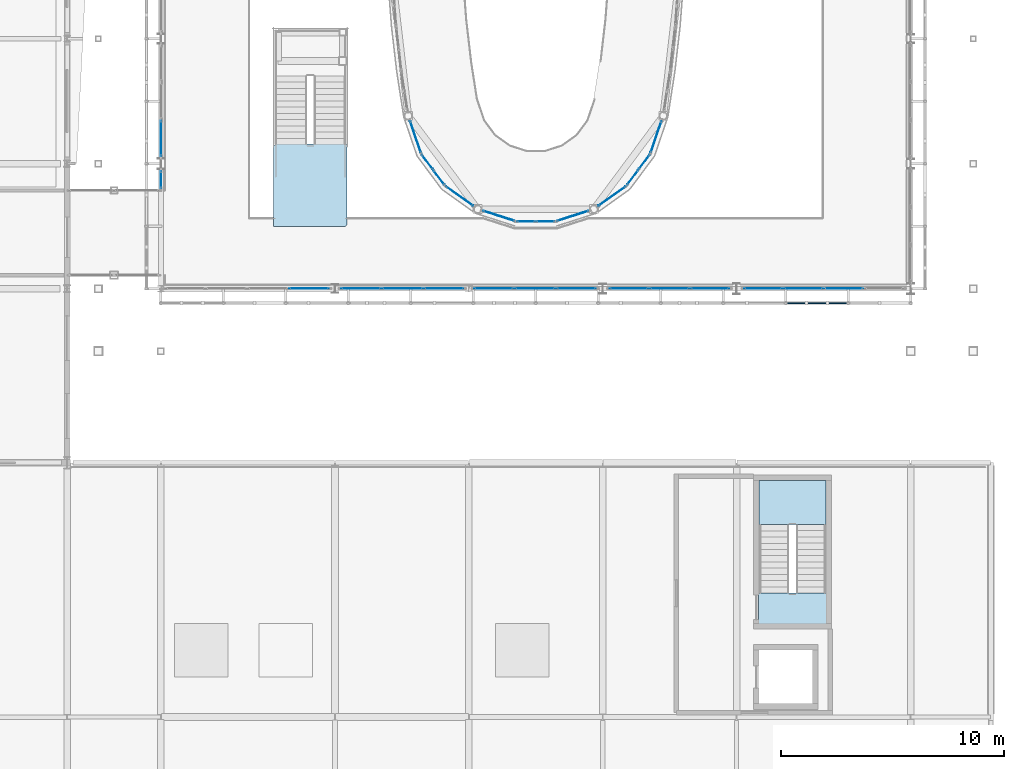
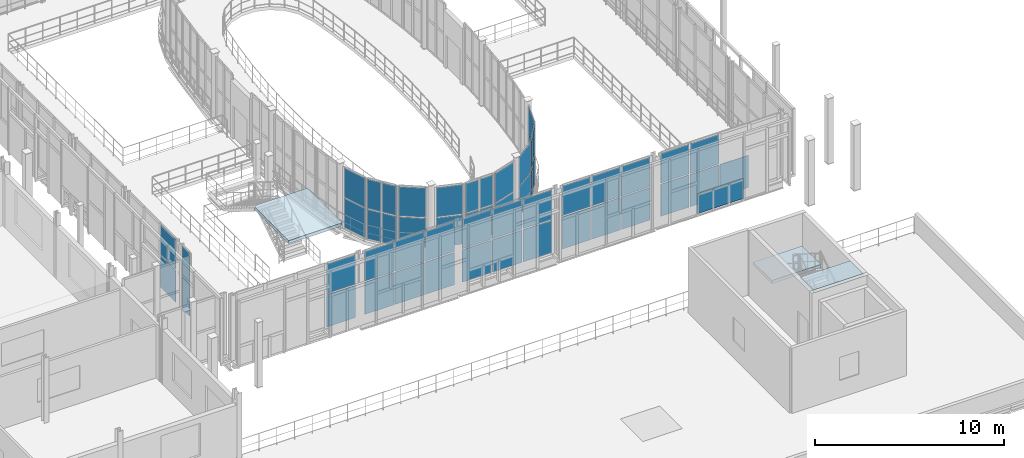
# One storey, part 96 of 138: 54 plates, 3 slabs, 18 elements without a shape of their own.
"""IFC4 building model written with IfcOpenShell, lengths in metres."""

import ifcopenshell
import ifcopenshell.guid

model = None  # the IFC model being written
_history = None  # IfcOwnerHistory: only IFC2X3 demands one
_inside = {}  # id of a spatial element -> (the spatial element, [elements in it])
_under = {}  # id of a project, library or spatial element -> (it, [spatial elements below it])
_declared = {}  # id of a project -> (the project, [libraries it declares])
_typed = {}  # id of a type object -> (the type object, [elements of that type])
_made_of = {}  # id of a material, layer set ... -> (it, [elements and type objects made of it])


def new_model(schema):
    """Start an empty IFC model of exactly this schema.

    Asked for "IFC4X3", IfcOpenShell would pick the latest addendum, in which some entities
    have other attributes; the version numbers below select the first issue.
    IFC2X3 requires an IfcOwnerHistory on every rooted entity: one is made here for all.
    """
    global model, _history
    if schema == "IFC4X3":
        model = ifcopenshell.file(schema_version=(4, 3, 0, 0))
    else:
        model = ifcopenshell.file(schema=schema)
    _inside.clear()
    _under.clear()
    _declared.clear()
    _typed.clear()
    _made_of.clear()
    _history = None
    if model.schema == "IFC2X3":
        org = make("IfcOrganization", Name="unknown")
        user = make(
            "IfcPersonAndOrganization",
            ThePerson=make("IfcPerson", FamilyName="unknown"),
            TheOrganization=org,
        )
        app = make(
            "IfcApplication",
            ApplicationDeveloper=org,
            Version="unknown",
            ApplicationFullName="unknown",
            ApplicationIdentifier="unknown",
        )
        _history = make(
            "IfcOwnerHistory",
            OwningUser=user,
            OwningApplication=app,
            ChangeAction="ADDED",
            CreationDate=0,
        )
    return model


def make(cls, **values):
    """One entity of the class cls with the attributes given. An attribute that is None is left unset."""
    return model.create_entity(
        cls, **{name: value for name, value in values.items() if value is not None}
    )


def rooted(cls, **values):
    """An entity with a GlobalId (a new one), such as an element, a storey or a relation."""
    return make(cls, GlobalId=ifcopenshell.guid.new(), OwnerHistory=_history, **values)


def si_unit(unit_type, name, prefix=None):
    """IfcSIUnit, for example si_unit("LENGTHUNIT", "METRE", prefix="MILLI")."""
    return make("IfcSIUnit", UnitType=unit_type, Prefix=prefix, Name=name)


def assignment(units):
    """IfcUnitAssignment: the units of a project."""
    return None if units is None else make("IfcUnitAssignment", Units=units)


def point(xyz):
    """IfcCartesianPoint."""
    return None if xyz is None else make("IfcCartesianPoint", Coordinates=xyz)


def direction(xyz):
    """IfcDirection."""
    return None if xyz is None else make("IfcDirection", DirectionRatios=xyz)


def frame(location, z_axis=None, x_axis=None):
    """IfcAxis2Placement3D, a coordinate frame: its origin and axes. An axis left out is left unset."""
    return make(
        "IfcAxis2Placement3D",
        Location=point(location),
        Axis=direction(z_axis),
        RefDirection=direction(x_axis),
    )


def frame_2d(location, x_axis=None):
    """IfcAxis2Placement2D, a coordinate frame in the plane: its origin and x axis."""
    return make(
        "IfcAxis2Placement2D", Location=point(location), RefDirection=direction(x_axis)
    )


def origin():
    """The frame at (0, 0, 0) with its axes left unset."""
    return frame((0.0, 0.0, 0.0))


def origin_2d():
    """The frame at (0, 0) in the plane with its x axis left unset."""
    return frame_2d((0.0, 0.0))


def place(relative_to, where):
    """IfcLocalPlacement: puts the frame where relative to a parent placement (None: the world)."""
    return make(
        "IfcLocalPlacement", PlacementRelTo=relative_to, RelativePlacement=where
    )


def context(
    kind, dimensions, precision=None, world=None, true_north=None, identifier=None
):
    """IfcGeometricRepresentationContext, for example the 3D "Model" context."""
    return make(
        "IfcGeometricRepresentationContext",
        ContextIdentifier=identifier,
        ContextType=kind,
        CoordinateSpaceDimension=dimensions,
        Precision=precision,
        WorldCoordinateSystem=world,
        TrueNorth=true_north,
    )


def subcontext(parent, identifier, kind, view, scale=None):
    """IfcGeometricRepresentationSubContext, for example "Body" below "Model"."""
    return make(
        "IfcGeometricRepresentationSubContext",
        ContextIdentifier=identifier,
        ContextType=kind,
        ParentContext=parent,
        TargetScale=scale,
        TargetView=view,
    )


def project(units=None, contexts=None):
    """IfcProject with its units and contexts."""
    return rooted(
        "IfcProject",
        Name="project",
        RepresentationContexts=contexts,
        UnitsInContext=assignment(units),
    )


def spatial(cls, under=None, at=None, **own):
    """A site, building, storey or space (cls), placed at a placement, below another one or the project."""
    s = rooted(cls, ObjectPlacement=at, **own)
    if under is not None:
        _under.setdefault(under.id(), (under, []))[1].append(s)
    return s


def polyline(points):
    """IfcPolyline through the points."""
    return make("IfcPolyline", Points=[point(p) for p in points])


def profile(cls, at=None, kind="AREA", **sizes):
    """A parametric profile (cls). Its sizes go by their IFC names, for example OverallWidth=200.0."""
    return make(cls, ProfileType=kind, Position=at, **sizes)


def rectangle(**sizes):
    """IfcRectangleProfileDef."""
    return profile("IfcRectangleProfileDef", **sizes)


def outline(outer, holes=None, kind="AREA"):
    """IfcArbitraryClosedProfileDef: a profile drawn as a closed curve; with holes, ...WithVoids."""
    if holes is None:
        return make("IfcArbitraryClosedProfileDef", ProfileType=kind, OuterCurve=outer)
    return make(
        "IfcArbitraryProfileDefWithVoids",
        ProfileType=kind,
        OuterCurve=outer,
        InnerCurves=holes,
    )


def extrude(swept, where, along, depth):
    """IfcExtrudedAreaSolid: the profile swept, set in the frame where, extruded along a direction by depth."""
    return make(
        "IfcExtrudedAreaSolid",
        SweptArea=swept,
        Position=where,
        ExtrudedDirection=direction(along),
        Depth=depth,
    )


def shape(context_of_items, identifier, shape_type, items):
    """IfcShapeRepresentation: the items that make up one representation, for example the "Body"."""
    return make(
        "IfcShapeRepresentation",
        ContextOfItems=context_of_items,
        RepresentationIdentifier=identifier,
        RepresentationType=shape_type,
        Items=items,
    )


def material(Name=None, Category=None):
    """IfcMaterial."""
    return make("IfcMaterial", Name=Name, Category=Category)


def layer(
    of_material, thickness, ventilated=None, Name=None, Category=None, Priority=None
):
    """IfcMaterialLayer: one layer of a wall or slab, of a material (None: an air gap)."""
    return make(
        "IfcMaterialLayer",
        Material=of_material,
        LayerThickness=thickness,
        IsVentilated=ventilated,
        Name=Name,
        Category=Category,
        Priority=Priority,
    )


def layer_set(layers, Name=None):
    """IfcMaterialLayerSet."""
    return make("IfcMaterialLayerSet", MaterialLayers=layers, LayerSetName=Name)


def made_of(thing, what):
    """Note that an element or type object is made of a material, layer set ...; save() writes the relation."""
    if what is not None:
        _made_of.setdefault(what.id(), (what, []))[1].append(thing)
    return thing


def type_object(cls, material=None, **own):
    """A type object (cls), such as IfcWallType, which elements share."""
    return made_of(rooted(cls, **own), material)


def element(
    cls,
    number,
    at=None,
    inside=None,
    cuts=None,
    type_object=None,
    material=None,
    context=None,
    identifier="Body",
    shape_type=None,
    held_by="IfcProductDefinitionShape",
    body=None,
    shapes=None,
    **own,
):
    """One element of the class cls, such as IfcWall. Its Tag is "e" and its number.

    at: its placement. inside: the storey or other place that contains it. cuts: it is an
    opening in that element (IfcRelVoidsElement). A single representation is given by context,
    identifier, shape_type and body (its items); several are given by shapes. held_by: the class
    of the entity that holds the representations. save() writes the other relations.
    """
    e = rooted(cls, Tag="e%d" % number, ObjectPlacement=at, **own)
    if body is not None:
        shapes = [shape(context, identifier, shape_type, body)]
    if shapes is not None:
        e.Representation = make(held_by, Representations=shapes)
    if inside is not None:
        _inside.setdefault(inside.id(), (inside, []))[1].append(e)
    if cuts is not None:
        rooted(
            "IfcRelVoidsElement", RelatingBuildingElement=cuts, RelatedOpeningElement=e
        )
    if type_object is not None:
        _typed.setdefault(type_object.id(), (type_object, []))[1].append(e)
    return made_of(e, material)


def aggregate(whole, parts):
    """IfcRelAggregates: a whole, such as a stair, and the parts it consists of."""
    return rooted("IfcRelAggregates", RelatingObject=whole, RelatedObjects=parts)


def save(model, path):
    """Write the relations noted so far, then the file.

    IfcRelAggregates (storeys below a building ...), IfcRelContainedInSpatialStructure (elements
    in a storey), IfcRelDefinesByType, IfcRelAssociatesMaterial and IfcRelDeclares: one each for
    every whole, place, type object, material and project.
    """
    for whole, parts in _under.values():
        aggregate(whole, parts)
    for where, things in _inside.values():
        rooted(
            "IfcRelContainedInSpatialStructure",
            RelatedElements=things,
            RelatingStructure=where,
        )
    for kind, things in _typed.values():
        rooted("IfcRelDefinesByType", RelatedObjects=things, RelatingType=kind)
    for what, things in _made_of.values():
        rooted("IfcRelAssociatesMaterial", RelatedObjects=things, RelatingMaterial=what)
    for by, libraries in _declared.values():
        rooted("IfcRelDeclares", RelatingContext=by, RelatedDefinitions=libraries)
    model.write(path)


model = new_model("IFC4")

# Units and contexts
model_context = context("Model", 3, precision=1e-05, world=origin(), true_north=direction((0.0, 1.0)))
body_context = subcontext(model_context, "Body", "Model", "MODEL_VIEW")
ifc_project = project(units=[si_unit("LENGTHUNIT", "METRE"), si_unit("AREAUNIT", "SQUARE_METRE"), si_unit("VOLUMEUNIT", "CUBIC_METRE"), si_unit("PLANEANGLEUNIT", "RADIAN"), si_unit("MASSUNIT", "GRAM", prefix="KILO")], contexts=[model_context])

# Site, building, storey
site_placement = place(None, origin())
site = spatial("IfcSite", under=ifc_project, at=site_placement, CompositionType="ELEMENT")
building_placement = place(site_placement, origin())
building = spatial("IfcBuilding", under=site, at=building_placement, Name="Vinh Khe Railworks Police Headquarters", CompositionType="ELEMENT")
storey_placement = place(building_placement, frame((0.0, 0.0, 9.0)))
storey = spatial("IfcBuildingStorey", under=building, at=storey_placement, Name="L02", CompositionType="ELEMENT", Elevation=9.0)

# Curtain wall, plates
ifc_material_1 = material(Name="Anodised aluminium and acoustic laminated glass", Category="aluminium")
ifc_layer_1 = layer(ifc_material_1, 0.159912109375)
ifc_layer_set_1 = layer_set([ifc_layer_1], Name="Anodised aluminium and acoustic laminated glass")
curtain_wall_type_1 = type_object("IfcCurtainWallType", Name="CW-DRUM-CHORD", PredefinedType="USERDEFINED", material=ifc_layer_set_1)
curtain_wall_1_placement = place(storey_placement, origin())
curtain_wall_1 = element("IfcCurtainWall", 1, at=curtain_wall_1_placement, inside=storey, type_object=curtain_wall_type_1, Name="Elliptical Command Drum Glazing L02 Chord 28", ObjectType="DRUM FACADE GLAZING", PredefinedType="USERDEFINED")
ifc_material_2 = material(Name="Acoustic laminated solar-control glass", Category="glass")
ifc_layer_2 = layer(ifc_material_2, 0.031982421875)
ifc_layer_set_2 = layer_set([ifc_layer_2], Name="Acoustic laminated solar-control glass")
plate_type_1 = type_object("IfcPlateType", Name="PAN-DRUM-32", PredefinedType="CURTAIN_PANEL", material=ifc_layer_set_2)
plate_1_placement = place(storey_placement, frame((37.808349609375, 32.00146484375, 0.06494140625), z_axis=(0.0, 0.0, 1.0), x_axis=(0.322746129004, -0.946485571054, 0.0)))
plate_1 = element("IfcPlate", 2, at=plate_1_placement, type_object=plate_type_1, Name="CW-02 panel 1.1", PredefinedType="CURTAIN_PANEL", context=body_context, shape_type="SweptSolid", body=[
    extrude(rectangle(XDim=1.466064453125, YDim=0.031982421875, at=origin_2d()), origin(), (0.0, 0.0, 1.0), 1.887451171875),
])
plate_2_placement = place(storey_placement, frame((37.808349609375, 32.00146484375, 2.017578125), z_axis=(0.0, 0.0, 1.0), x_axis=(0.322746129004, -0.946485571054, 0.0)))
plate_2 = element("IfcPlate", 3, at=plate_2_placement, type_object=plate_type_1, Name="CW-02 panel 1.2", PredefinedType="CURTAIN_PANEL", context=body_context, shape_type="SweptSolid", body=[
    extrude(rectangle(XDim=1.466064453125, YDim=0.031982421875, at=origin_2d()), origin(), (0.0, 0.0, 1.0), 1.887451171875),
])
aggregate(curtain_wall_1, [plate_1, plate_2])

curtain_wall_2_placement = place(storey_placement, origin())
curtain_wall_2 = element("IfcCurtainWall", 4, at=curtain_wall_2_placement, inside=storey, type_object=curtain_wall_type_1, Name="Elliptical Command Drum Glazing L02 Chord 29", ObjectType="DRUM FACADE GLAZING", PredefinedType="USERDEFINED")
plate_3_placement = place(storey_placement, frame((38.34326171875, 30.873291015625, 0.06494140625), z_axis=(0.0, 0.0, 1.0), x_axis=(0.596528425784, -0.802591949394, 0.0)))
plate_3 = element("IfcPlate", 5, at=plate_3_placement, type_object=plate_type_1, Name="CW-02 panel 1.1", PredefinedType="CURTAIN_PANEL", context=body_context, shape_type="SweptSolid", body=[
    extrude(rectangle(XDim=0.799560546875, YDim=0.031982421875, at=origin_2d()), origin(), (0.0, 0.0, 1.0), 1.887451171875),
])
plate_4_placement = place(storey_placement, frame((38.34326171875, 30.873291015625, 2.017578125), z_axis=(0.0, 0.0, 1.0), x_axis=(0.596528425784, -0.802591949394, 0.0)))
plate_4 = element("IfcPlate", 6, at=plate_4_placement, type_object=plate_type_1, Name="CW-02 panel 1.2", PredefinedType="CURTAIN_PANEL", context=body_context, shape_type="SweptSolid", body=[
    extrude(rectangle(XDim=0.799560546875, YDim=0.031982421875, at=origin_2d()), origin(), (0.0, 0.0, 1.0), 1.887451171875),
])
plate_5_placement = place(storey_placement, frame((38.85888671875, 30.179443359375, 0.06494140625), z_axis=(0.0, 0.0, 1.0), x_axis=(0.596528425784, -0.802591949394, 0.0)))
plate_5 = element("IfcPlate", 7, at=plate_5_placement, type_object=plate_type_1, Name="CW-02 panel 2.1", PredefinedType="CURTAIN_PANEL", context=body_context, shape_type="SweptSolid", body=[
    extrude(rectangle(XDim=0.799560546875, YDim=0.031982421875, at=origin_2d()), origin(), (0.0, 0.0, 1.0), 1.887451171875),
])
plate_6_placement = place(storey_placement, frame((38.85888671875, 30.179443359375, 2.017578125), z_axis=(0.0, 0.0, 1.0), x_axis=(0.596528425784, -0.802591949394, 0.0)))
plate_6 = element("IfcPlate", 8, at=plate_6_placement, type_object=plate_type_1, Name="CW-02 panel 2.2", PredefinedType="CURTAIN_PANEL", context=body_context, shape_type="SweptSolid", body=[
    extrude(rectangle(XDim=0.799560546875, YDim=0.031982421875, at=origin_2d()), origin(), (0.0, 0.0, 1.0), 1.887451171875),
])
aggregate(curtain_wall_2, [plate_3, plate_4, plate_5, plate_6])

curtain_wall_3_placement = place(storey_placement, origin())
curtain_wall_3 = element("IfcCurtainWall", 9, at=curtain_wall_3_placement, inside=storey, type_object=curtain_wall_type_1, Name="Elliptical Command Drum Glazing L02 Chord 30", ObjectType="DRUM FACADE GLAZING", PredefinedType="USERDEFINED")
plate_7_placement = place(storey_placement, frame((39.78515625, 29.342041015625, 0.06494140625), z_axis=(0.0, 0.0, 1.0), x_axis=(0.813249321306, -0.581915407422, 0.0)))
plate_7 = element("IfcPlate", 10, at=plate_7_placement, type_object=plate_type_1, Name="CW-02 panel 1.1", PredefinedType="CURTAIN_PANEL", context=body_context, shape_type="SweptSolid", body=[
    extrude(rectangle(XDim=1.466064453125, YDim=0.031982421875, at=origin_2d()), origin(), (0.0, 0.0, 1.0), 1.887451171875),
])
plate_8_placement = place(storey_placement, frame((39.78515625, 29.342041015625, 2.017578125), z_axis=(0.0, 0.0, 1.0), x_axis=(0.813249321306, -0.581915407422, 0.0)))
plate_8 = element("IfcPlate", 11, at=plate_8_placement, type_object=plate_type_1, Name="CW-02 panel 1.2", PredefinedType="CURTAIN_PANEL", context=body_context, shape_type="SweptSolid", body=[
    extrude(rectangle(XDim=1.466064453125, YDim=0.031982421875, at=origin_2d()), origin(), (0.0, 0.0, 1.0), 1.887451171875),
])
aggregate(curtain_wall_3, [plate_7, plate_8])

curtain_wall_4_placement = place(storey_placement, origin())
curtain_wall_4 = element("IfcCurtainWall", 12, at=curtain_wall_4_placement, inside=storey, type_object=curtain_wall_type_1, Name="Elliptical Command Drum Glazing L02 Chord 31", ObjectType="DRUM FACADE GLAZING", PredefinedType="USERDEFINED")
plate_9_placement = place(storey_placement, frame((41.543212890625, 28.458251953125, 0.06494140625), z_axis=(0.0, 0.0, 1.0), x_axis=(0.952167895959, -0.305575355525, 0.0)))
plate_9 = element("IfcPlate", 13, at=plate_9_placement, type_object=plate_type_1, Name="CW-02 panel 1.1", PredefinedType="CURTAIN_PANEL", context=body_context, shape_type="SweptSolid", body=[
    extrude(rectangle(XDim=1.466064453125, YDim=0.031982421875, at=origin_2d()), origin(), (0.0, 0.0, 1.0), 1.887451171875),
])
plate_10_placement = place(storey_placement, frame((41.543212890625, 28.458251953125, 2.017578125), z_axis=(0.0, 0.0, 1.0), x_axis=(0.952167895959, -0.305575355525, 0.0)))
plate_10 = element("IfcPlate", 14, at=plate_10_placement, type_object=plate_type_1, Name="CW-02 panel 1.2", PredefinedType="CURTAIN_PANEL", context=body_context, shape_type="SweptSolid", body=[
    extrude(rectangle(XDim=1.466064453125, YDim=0.031982421875, at=origin_2d()), origin(), (0.0, 0.0, 1.0), 1.887451171875),
])
aggregate(curtain_wall_4, [plate_9, plate_10])

curtain_wall_5_placement = place(storey_placement, origin())
curtain_wall_5 = element("IfcCurtainWall", 15, at=curtain_wall_5_placement, inside=storey, type_object=curtain_wall_type_1, Name="Elliptical Command Drum Glazing L02 Chord 32", ObjectType="DRUM FACADE GLAZING", PredefinedType="USERDEFINED")
plate_11_placement = place(storey_placement, frame((42.767822265625, 28.21435546875, 0.06494140625), z_axis=(0.0, 0.0, 1.0), x_axis=(1.0, 0.0, 0.0)))
plate_11 = element("IfcPlate", 16, at=plate_11_placement, type_object=plate_type_1, Name="CW-02 panel 1.1", PredefinedType="CURTAIN_PANEL", context=body_context, shape_type="SweptSolid", body=[
    extrude(rectangle(XDim=0.799560546875, YDim=0.031982421875, at=origin_2d()), origin(), (0.0, 0.0, 1.0), 1.887451171875),
])
plate_12_placement = place(storey_placement, frame((42.767822265625, 28.21435546875, 2.017578125), z_axis=(0.0, 0.0, 1.0), x_axis=(1.0, 0.0, 0.0)))
plate_12 = element("IfcPlate", 17, at=plate_12_placement, type_object=plate_type_1, Name="CW-02 panel 1.2", PredefinedType="CURTAIN_PANEL", context=body_context, shape_type="SweptSolid", body=[
    extrude(rectangle(XDim=0.799560546875, YDim=0.031982421875, at=origin_2d()), origin(), (0.0, 0.0, 1.0), 1.887451171875),
])
plate_13_placement = place(storey_placement, frame((43.63232421875, 28.21435546875, 0.06494140625), z_axis=(0.0, 0.0, 1.0), x_axis=(1.0, 0.0, 0.0)))
plate_13 = element("IfcPlate", 18, at=plate_13_placement, type_object=plate_type_1, Name="CW-02 panel 2.1", PredefinedType="CURTAIN_PANEL", context=body_context, shape_type="SweptSolid", body=[
    extrude(rectangle(XDim=0.799560546875, YDim=0.031982421875, at=origin_2d()), origin(), (0.0, 0.0, 1.0), 1.887451171875),
])
plate_14_placement = place(storey_placement, frame((43.63232421875, 28.21435546875, 2.017578125), z_axis=(0.0, 0.0, 1.0), x_axis=(1.0, 0.0, 0.0)))
plate_14 = element("IfcPlate", 19, at=plate_14_placement, type_object=plate_type_1, Name="CW-02 panel 2.2", PredefinedType="CURTAIN_PANEL", context=body_context, shape_type="SweptSolid", body=[
    extrude(rectangle(XDim=0.799560546875, YDim=0.031982421875, at=origin_2d()), origin(), (0.0, 0.0, 1.0), 1.887451171875),
])
aggregate(curtain_wall_5, [plate_11, plate_12, plate_13, plate_14])

curtain_wall_6_placement = place(storey_placement, origin())
curtain_wall_6 = element("IfcCurtainWall", 20, at=curtain_wall_6_placement, inside=storey, type_object=curtain_wall_type_1, Name="Elliptical Command Drum Glazing L02 Chord 33", ObjectType="DRUM FACADE GLAZING", PredefinedType="USERDEFINED")
plate_15_placement = place(storey_placement, frame((44.85693359375, 28.458251953125, 0.06494140625), z_axis=(0.0, 0.0, 1.0), x_axis=(0.952167895959, 0.305575355525, 0.0)))
plate_15 = element("IfcPlate", 21, at=plate_15_placement, type_object=plate_type_1, Name="CW-02 panel 1.1", PredefinedType="CURTAIN_PANEL", context=body_context, shape_type="SweptSolid", body=[
    extrude(rectangle(XDim=1.466064453125, YDim=0.031982421875, at=origin_2d()), origin(), (0.0, 0.0, 1.0), 1.887451171875),
])
plate_16_placement = place(storey_placement, frame((44.85693359375, 28.458251953125, 2.017578125), z_axis=(0.0, 0.0, 1.0), x_axis=(0.952167895959, 0.305575355525, 0.0)))
plate_16 = element("IfcPlate", 22, at=plate_16_placement, type_object=plate_type_1, Name="CW-02 panel 1.2", PredefinedType="CURTAIN_PANEL", context=body_context, shape_type="SweptSolid", body=[
    extrude(rectangle(XDim=1.466064453125, YDim=0.031982421875, at=origin_2d()), origin(), (0.0, 0.0, 1.0), 1.887451171875),
])
aggregate(curtain_wall_6, [plate_15, plate_16])

curtain_wall_7_placement = place(storey_placement, origin())
curtain_wall_7 = element("IfcCurtainWall", 23, at=curtain_wall_7_placement, inside=storey, type_object=curtain_wall_type_1, Name="Elliptical Command Drum Glazing L02 Chord 34", ObjectType="DRUM FACADE GLAZING", PredefinedType="USERDEFINED")
plate_17_placement = place(storey_placement, frame((46.614990234375, 29.342041015625, 0.06494140625), z_axis=(0.0, 0.0, 1.0), x_axis=(0.813249321306, 0.581915407422, 0.0)))
plate_17 = element("IfcPlate", 24, at=plate_17_placement, type_object=plate_type_1, Name="CW-02 panel 1.1", PredefinedType="CURTAIN_PANEL", context=body_context, shape_type="SweptSolid", body=[
    extrude(rectangle(XDim=1.466064453125, YDim=0.031982421875, at=origin_2d()), origin(), (0.0, 0.0, 1.0), 1.887451171875),
])
plate_18_placement = place(storey_placement, frame((46.614990234375, 29.342041015625, 2.017578125), z_axis=(0.0, 0.0, 1.0), x_axis=(0.813249321306, 0.581915407422, 0.0)))
plate_18 = element("IfcPlate", 25, at=plate_18_placement, type_object=plate_type_1, Name="CW-02 panel 1.2", PredefinedType="CURTAIN_PANEL", context=body_context, shape_type="SweptSolid", body=[
    extrude(rectangle(XDim=1.466064453125, YDim=0.031982421875, at=origin_2d()), origin(), (0.0, 0.0, 1.0), 1.887451171875),
])
aggregate(curtain_wall_7, [plate_17, plate_18])

curtain_wall_8_placement = place(storey_placement, origin())
curtain_wall_8 = element("IfcCurtainWall", 26, at=curtain_wall_8_placement, inside=storey, type_object=curtain_wall_type_1, Name="Elliptical Command Drum Glazing L02 Chord 35", ObjectType="DRUM FACADE GLAZING", PredefinedType="USERDEFINED")
plate_19_placement = place(storey_placement, frame((47.541259765625, 30.179443359375, 0.06494140625), z_axis=(0.0, 0.0, 1.0), x_axis=(0.596528425784, 0.802591949394, 0.0)))
plate_19 = element("IfcPlate", 27, at=plate_19_placement, type_object=plate_type_1, Name="CW-02 panel 1.1", PredefinedType="CURTAIN_PANEL", context=body_context, shape_type="SweptSolid", body=[
    extrude(rectangle(XDim=0.799560546875, YDim=0.031982421875, at=origin_2d()), origin(), (0.0, 0.0, 1.0), 1.887451171875),
])
plate_20_placement = place(storey_placement, frame((47.541259765625, 30.179443359375, 2.017578125), z_axis=(0.0, 0.0, 1.0), x_axis=(0.596528425784, 0.802591949394, 0.0)))
plate_20 = element("IfcPlate", 28, at=plate_20_placement, type_object=plate_type_1, Name="CW-02 panel 1.2", PredefinedType="CURTAIN_PANEL", context=body_context, shape_type="SweptSolid", body=[
    extrude(rectangle(XDim=0.799560546875, YDim=0.031982421875, at=origin_2d()), origin(), (0.0, 0.0, 1.0), 1.887451171875),
])
plate_21_placement = place(storey_placement, frame((48.056884765625, 30.873291015625, 0.06494140625), z_axis=(0.0, 0.0, 1.0), x_axis=(0.596528425784, 0.802591949394, 0.0)))
plate_21 = element("IfcPlate", 29, at=plate_21_placement, type_object=plate_type_1, Name="CW-02 panel 2.1", PredefinedType="CURTAIN_PANEL", context=body_context, shape_type="SweptSolid", body=[
    extrude(rectangle(XDim=0.799560546875, YDim=0.031982421875, at=origin_2d()), origin(), (0.0, 0.0, 1.0), 1.887451171875),
])
plate_22_placement = place(storey_placement, frame((48.056884765625, 30.873291015625, 2.017578125), z_axis=(0.0, 0.0, 1.0), x_axis=(0.596528425784, 0.802591949394, 0.0)))
plate_22 = element("IfcPlate", 30, at=plate_22_placement, type_object=plate_type_1, Name="CW-02 panel 2.2", PredefinedType="CURTAIN_PANEL", context=body_context, shape_type="SweptSolid", body=[
    extrude(rectangle(XDim=0.799560546875, YDim=0.031982421875, at=origin_2d()), origin(), (0.0, 0.0, 1.0), 1.887451171875),
])
aggregate(curtain_wall_8, [plate_19, plate_20, plate_21, plate_22])

curtain_wall_9_placement = place(storey_placement, origin())
curtain_wall_9 = element("IfcCurtainWall", 31, at=curtain_wall_9_placement, inside=storey, type_object=curtain_wall_type_1, Name="Elliptical Command Drum Glazing L02 Chord 36", ObjectType="DRUM FACADE GLAZING", PredefinedType="USERDEFINED")
plate_23_placement = place(storey_placement, frame((48.591552734375, 32.00146484375, 0.06494140625), z_axis=(0.0, 0.0, 1.0), x_axis=(0.322746129004, 0.946485571054, 0.0)))
plate_23 = element("IfcPlate", 32, at=plate_23_placement, type_object=plate_type_1, Name="CW-02 panel 1.1", PredefinedType="CURTAIN_PANEL", context=body_context, shape_type="SweptSolid", body=[
    extrude(rectangle(XDim=1.466064453125, YDim=0.031982421875, at=origin_2d()), origin(), (0.0, 0.0, 1.0), 1.887451171875),
])
plate_24_placement = place(storey_placement, frame((48.591552734375, 32.00146484375, 2.017578125), z_axis=(0.0, 0.0, 1.0), x_axis=(0.322746129004, 0.946485571054, 0.0)))
plate_24 = element("IfcPlate", 33, at=plate_24_placement, type_object=plate_type_1, Name="CW-02 panel 1.2", PredefinedType="CURTAIN_PANEL", context=body_context, shape_type="SweptSolid", body=[
    extrude(rectangle(XDim=1.466064453125, YDim=0.031982421875, at=origin_2d()), origin(), (0.0, 0.0, 1.0), 1.887451171875),
])
aggregate(curtain_wall_9, [plate_23, plate_24])

ifc_material_3 = material(Name="Anodised aluminium and low-iron glass", Category="aluminium")
ifc_layer_3 = layer(ifc_material_3, 0.179931640625)
ifc_layer_set_3 = layer_set([ifc_layer_3], Name="Anodised aluminium and low-iron glass")
curtain_wall_type_2 = type_object("IfcCurtainWallType", Name="CW-CUBE-UNIT", PredefinedType="USERDEFINED", material=ifc_layer_set_3)
curtain_wall_10_placement = place(storey_placement, origin())
curtain_wall_10 = element("IfcCurtainWall", 34, at=curtain_wall_10_placement, inside=storey, type_object=curtain_wall_type_2, Name="Entrance Hall Curtain Wall L02 S-1", ObjectType="UNITISED GLAZING", PredefinedType="USERDEFINED")
ifc_material_4 = material(Name="Low-iron laminated solar-control glass", Category="glass")
ifc_layer_4 = layer(ifc_material_4, 0.028076171875)
ifc_layer_set_4 = layer_set([ifc_layer_4], Name="Low-iron laminated solar-control glass")
plate_type_2 = type_object("IfcPlateType", Name="PAN-GLZ-28", PredefinedType="CURTAIN_PANEL", material=ifc_layer_set_4)
plate_25_placement = place(storey_placement, frame((33.0380859375, 25.199951171875, 0.070068359375), z_axis=(0.0, 0.0, 1.0), x_axis=(1.0, 0.0, 0.0)))
plate_25 = element("IfcPlate", 35, at=plate_25_placement, type_object=plate_type_2, Name="CW-01 panel 4.1", PredefinedType="CURTAIN_PANEL", context=body_context, shape_type="SweptSolid", body=[
    extrude(rectangle(XDim=1.753662109375, YDim=0.028076171875, at=origin_2d()), origin(), (0.0, 0.0, 1.0), 2.0791015625),
])
plate_26_placement = place(storey_placement, frame((33.0380859375, 25.199951171875, 2.21923828125), z_axis=(0.0, 0.0, 1.0), x_axis=(1.0, 0.0, 0.0)))
plate_26 = element("IfcPlate", 36, at=plate_26_placement, type_object=plate_type_2, Name="CW-01 panel 4.2", PredefinedType="CURTAIN_PANEL", context=body_context, shape_type="SweptSolid", body=[
    extrude(rectangle(XDim=1.753662109375, YDim=0.028076171875, at=origin_2d()), origin(), (0.0, 0.0, 1.0), 1.910888671875),
])
aggregate(curtain_wall_10, [plate_25, plate_26])

curtain_wall_11_placement = place(storey_placement, origin())
curtain_wall_11 = element("IfcCurtainWall", 37, at=curtain_wall_11_placement, inside=storey, type_object=curtain_wall_type_2, Name="Entrance Hall Curtain Wall L02 S-2", ObjectType="UNITISED GLAZING", PredefinedType="USERDEFINED")
plate_27_placement = place(storey_placement, frame((35.368408203125, 25.199951171875, 0.070068359375), z_axis=(0.0, 0.0, 1.0), x_axis=(1.0, 0.0, 0.0)))
plate_27 = element("IfcPlate", 38, at=plate_27_placement, type_object=plate_type_2, Name="CW-01 panel 1.1", PredefinedType="CURTAIN_PANEL", context=body_context, shape_type="SweptSolid", body=[
    extrude(rectangle(XDim=1.7666015625, YDim=0.028076171875, at=origin_2d()), origin(), (0.0, 0.0, 1.0), 2.0791015625),
])
plate_28_placement = place(storey_placement, frame((35.368408203125, 25.199951171875, 2.21923828125), z_axis=(0.0, 0.0, 1.0), x_axis=(1.0, 0.0, 0.0)))
plate_28 = element("IfcPlate", 39, at=plate_28_placement, type_object=plate_type_2, Name="CW-01 panel 1.2", PredefinedType="CURTAIN_PANEL", context=body_context, shape_type="SweptSolid", body=[
    extrude(rectangle(XDim=1.7666015625, YDim=0.028076171875, at=origin_2d()), origin(), (0.0, 0.0, 1.0), 1.910888671875),
])
plate_29_placement = place(storey_placement, frame((37.222412109375, 25.199951171875, 0.070068359375), z_axis=(0.0, 0.0, 1.0), x_axis=(1.0, 0.0, 0.0)))
plate_29 = element("IfcPlate", 40, at=plate_29_placement, type_object=plate_type_2, Name="CW-01 panel 2.1", PredefinedType="CURTAIN_PANEL", context=body_context, shape_type="SweptSolid", body=[
    extrude(rectangle(XDim=1.8017578125, YDim=0.028076171875, at=origin_2d()), origin(), (0.0, 0.0, 1.0), 2.0791015625),
])
plate_30_placement = place(storey_placement, frame((37.222412109375, 25.199951171875, 2.21923828125), z_axis=(0.0, 0.0, 1.0), x_axis=(1.0, 0.0, 0.0)))
plate_30 = element("IfcPlate", 41, at=plate_30_placement, type_object=plate_type_2, Name="CW-01 panel 2.2", PredefinedType="CURTAIN_PANEL", context=body_context, shape_type="SweptSolid", body=[
    extrude(rectangle(XDim=1.8017578125, YDim=0.028076171875, at=origin_2d()), origin(), (0.0, 0.0, 1.0), 1.910888671875),
])
plate_31_placement = place(storey_placement, frame((39.07666015625, 25.199951171875, 0.070068359375), z_axis=(0.0, 0.0, 1.0), x_axis=(1.0, 0.0, 0.0)))
plate_31 = element("IfcPlate", 42, at=plate_31_placement, type_object=plate_type_2, Name="CW-01 panel 3.1", PredefinedType="CURTAIN_PANEL", context=body_context, shape_type="SweptSolid", body=[
    extrude(rectangle(XDim=1.7666015625, YDim=0.028076171875, at=origin_2d()), origin(), (0.0, 0.0, 1.0), 2.0791015625),
])
plate_32_placement = place(storey_placement, frame((39.07666015625, 25.199951171875, 2.21923828125), z_axis=(0.0, 0.0, 1.0), x_axis=(1.0, 0.0, 0.0)))
plate_32 = element("IfcPlate", 43, at=plate_32_placement, type_object=plate_type_2, Name="CW-01 panel 3.2", PredefinedType="CURTAIN_PANEL", context=body_context, shape_type="SweptSolid", body=[
    extrude(rectangle(XDim=1.7666015625, YDim=0.028076171875, at=origin_2d()), origin(), (0.0, 0.0, 1.0), 1.910888671875),
])
aggregate(curtain_wall_11, [plate_27, plate_28, plate_29, plate_30, plate_31, plate_32])

curtain_wall_12_placement = place(storey_placement, origin())
curtain_wall_12 = element("IfcCurtainWall", 44, at=curtain_wall_12_placement, inside=storey, type_object=curtain_wall_type_2, Name="Entrance Hall Curtain Wall L02 S-3", ObjectType="UNITISED GLAZING", PredefinedType="USERDEFINED")
plate_33_placement = place(storey_placement, frame((41.319091796875, 25.199951171875, 0.070068359375), z_axis=(0.0, 0.0, 1.0), x_axis=(1.0, 0.0, 0.0)))
plate_33 = element("IfcPlate", 45, at=plate_33_placement, type_object=plate_type_2, Name="CW-01 panel 1.1", PredefinedType="CURTAIN_PANEL", context=body_context, shape_type="SweptSolid", body=[
    extrude(rectangle(XDim=1.75830078125, YDim=0.028076171875, at=origin_2d()), origin(), (0.0, 0.0, 1.0), 2.0791015625),
])
plate_34_placement = place(storey_placement, frame((41.319091796875, 25.199951171875, 2.21923828125), z_axis=(0.0, 0.0, 1.0), x_axis=(1.0, 0.0, 0.0)))
plate_34 = element("IfcPlate", 46, at=plate_34_placement, type_object=plate_type_2, Name="CW-01 panel 1.2", PredefinedType="CURTAIN_PANEL", context=body_context, shape_type="SweptSolid", body=[
    extrude(rectangle(XDim=1.75830078125, YDim=0.028076171875, at=origin_2d()), origin(), (0.0, 0.0, 1.0), 1.910888671875),
])
plate_35_placement = place(storey_placement, frame((43.1650390625, 25.199951171875, 0.070068359375), z_axis=(0.0, 0.0, 1.0), x_axis=(1.0, 0.0, 0.0)))
plate_35 = element("IfcPlate", 47, at=plate_35_placement, type_object=plate_type_2, Name="CW-01 panel 2.1", PredefinedType="CURTAIN_PANEL", context=body_context, shape_type="SweptSolid", body=[
    extrude(rectangle(XDim=1.793212890625, YDim=0.028076171875, at=origin_2d()), origin(), (0.0, 0.0, 1.0), 2.0791015625),
])
plate_36_placement = place(storey_placement, frame((43.1650390625, 25.199951171875, 2.21923828125), z_axis=(0.0, 0.0, 1.0), x_axis=(1.0, 0.0, 0.0)))
plate_36 = element("IfcPlate", 48, at=plate_36_placement, type_object=plate_type_2, Name="CW-01 panel 2.2", PredefinedType="CURTAIN_PANEL", context=body_context, shape_type="SweptSolid", body=[
    extrude(rectangle(XDim=1.793212890625, YDim=0.028076171875, at=origin_2d()), origin(), (0.0, 0.0, 1.0), 1.910888671875),
])
plate_37_placement = place(storey_placement, frame((45.0107421875, 25.199951171875, 0.070068359375), z_axis=(0.0, 0.0, 1.0), x_axis=(1.0, 0.0, 0.0)))
plate_37 = element("IfcPlate", 49, at=plate_37_placement, type_object=plate_type_2, Name="CW-01 panel 3.1", PredefinedType="CURTAIN_PANEL", context=body_context, shape_type="SweptSolid", body=[
    extrude(rectangle(XDim=1.75830078125, YDim=0.028076171875, at=origin_2d()), origin(), (0.0, 0.0, 1.0), 2.0791015625),
])
plate_38_placement = place(storey_placement, frame((45.0107421875, 25.199951171875, 2.21923828125), z_axis=(0.0, 0.0, 1.0), x_axis=(1.0, 0.0, 0.0)))
plate_38 = element("IfcPlate", 50, at=plate_38_placement, type_object=plate_type_2, Name="CW-01 panel 3.2", PredefinedType="CURTAIN_PANEL", context=body_context, shape_type="SweptSolid", body=[
    extrude(rectangle(XDim=1.75830078125, YDim=0.028076171875, at=origin_2d()), origin(), (0.0, 0.0, 1.0), 1.910888671875),
])
aggregate(curtain_wall_12, [plate_33, plate_34, plate_35, plate_36, plate_37, plate_38])

curtain_wall_13_placement = place(storey_placement, origin())
curtain_wall_13 = element("IfcCurtainWall", 51, at=curtain_wall_13_placement, inside=storey, type_object=curtain_wall_type_2, Name="Entrance Hall Curtain Wall L02 S-4", ObjectType="UNITISED GLAZING", PredefinedType="USERDEFINED")
plate_39_placement = place(storey_placement, frame((47.373291015625, 25.199951171875, 0.070068359375), z_axis=(0.0, 0.0, 1.0), x_axis=(1.0, 0.0, 0.0)))
plate_39 = element("IfcPlate", 52, at=plate_39_placement, type_object=plate_type_2, Name="CW-01 panel 1.1", PredefinedType="CURTAIN_PANEL", context=body_context, shape_type="SweptSolid", body=[
    extrude(rectangle(XDim=1.7265625, YDim=0.028076171875, at=origin_2d()), origin(), (0.0, 0.0, 1.0), 2.0791015625),
])
plate_40_placement = place(storey_placement, frame((47.373291015625, 25.199951171875, 2.21923828125), z_axis=(0.0, 0.0, 1.0), x_axis=(1.0, 0.0, 0.0)))
plate_40 = element("IfcPlate", 53, at=plate_40_placement, type_object=plate_type_2, Name="CW-01 panel 1.2", PredefinedType="CURTAIN_PANEL", context=body_context, shape_type="SweptSolid", body=[
    extrude(rectangle(XDim=1.7265625, YDim=0.028076171875, at=origin_2d()), origin(), (0.0, 0.0, 1.0), 1.910888671875),
])
plate_41_placement = place(storey_placement, frame((49.1875, 25.199951171875, 0.070068359375), z_axis=(0.0, 0.0, 1.0), x_axis=(1.0, 0.0, 0.0)))
plate_41 = element("IfcPlate", 54, at=plate_41_placement, type_object=plate_type_2, Name="CW-01 panel 2.1", PredefinedType="CURTAIN_PANEL", context=body_context, shape_type="SweptSolid", body=[
    extrude(rectangle(XDim=1.76171875, YDim=0.028076171875, at=origin_2d()), origin(), (0.0, 0.0, 1.0), 2.0791015625),
])
plate_42_placement = place(storey_placement, frame((49.1875, 25.199951171875, 2.21923828125), z_axis=(0.0, 0.0, 1.0), x_axis=(1.0, 0.0, 0.0)))
plate_42 = element("IfcPlate", 55, at=plate_42_placement, type_object=plate_type_2, Name="CW-01 panel 2.2", PredefinedType="CURTAIN_PANEL", context=body_context, shape_type="SweptSolid", body=[
    extrude(rectangle(XDim=1.76171875, YDim=0.028076171875, at=origin_2d()), origin(), (0.0, 0.0, 1.0), 1.910888671875),
])
plate_43_placement = place(storey_placement, frame((51.001708984375, 25.199951171875, 0.070068359375), z_axis=(0.0, 0.0, 1.0), x_axis=(1.0, 0.0, 0.0)))
plate_43 = element("IfcPlate", 56, at=plate_43_placement, type_object=plate_type_2, Name="CW-01 panel 3.1", PredefinedType="CURTAIN_PANEL", context=body_context, shape_type="SweptSolid", body=[
    extrude(rectangle(XDim=1.7265625, YDim=0.028076171875, at=origin_2d()), origin(), (0.0, 0.0, 1.0), 2.0791015625),
])
plate_44_placement = place(storey_placement, frame((51.001708984375, 25.199951171875, 2.21923828125), z_axis=(0.0, 0.0, 1.0), x_axis=(1.0, 0.0, 0.0)))
plate_44 = element("IfcPlate", 57, at=plate_44_placement, type_object=plate_type_2, Name="CW-01 panel 3.2", PredefinedType="CURTAIN_PANEL", context=body_context, shape_type="SweptSolid", body=[
    extrude(rectangle(XDim=1.7265625, YDim=0.028076171875, at=origin_2d()), origin(), (0.0, 0.0, 1.0), 1.910888671875),
])
aggregate(curtain_wall_13, [plate_39, plate_40, plate_41, plate_42, plate_43, plate_44])

curtain_wall_14_placement = place(storey_placement, origin())
curtain_wall_14 = element("IfcCurtainWall", 58, at=curtain_wall_14_placement, inside=storey, type_object=curtain_wall_type_2, Name="Entrance Hall Curtain Wall L02 S-5", ObjectType="UNITISED GLAZING", PredefinedType="USERDEFINED")
plate_45_placement = place(storey_placement, frame((53.391357421875, 25.199951171875, 0.070068359375), z_axis=(0.0, 0.0, 1.0), x_axis=(1.0, 0.0, 0.0)))
plate_45 = element("IfcPlate", 59, at=plate_45_placement, type_object=plate_type_2, Name="CW-01 panel 1.1", PredefinedType="CURTAIN_PANEL", context=body_context, shape_type="SweptSolid", body=[
    extrude(rectangle(XDim=1.71240234375, YDim=0.028076171875, at=origin_2d()), origin(), (0.0, 0.0, 1.0), 2.0791015625),
])
plate_46_placement = place(storey_placement, frame((53.391357421875, 25.199951171875, 2.21923828125), z_axis=(0.0, 0.0, 1.0), x_axis=(1.0, 0.0, 0.0)))
plate_46 = element("IfcPlate", 60, at=plate_46_placement, type_object=plate_type_2, Name="CW-01 panel 1.2", PredefinedType="CURTAIN_PANEL", context=body_context, shape_type="SweptSolid", body=[
    extrude(rectangle(XDim=1.71240234375, YDim=0.028076171875, at=origin_2d()), origin(), (0.0, 0.0, 1.0), 1.910888671875),
])
plate_47_placement = place(storey_placement, frame((55.191162109375, 25.199951171875, 0.070068359375), z_axis=(0.0, 0.0, 1.0), x_axis=(1.0, 0.0, 0.0)))
plate_47 = element("IfcPlate", 61, at=plate_47_placement, type_object=plate_type_2, Name="CW-01 panel 2.1", PredefinedType="CURTAIN_PANEL", context=body_context, shape_type="SweptSolid", body=[
    extrude(rectangle(XDim=1.74755859375, YDim=0.028076171875, at=origin_2d()), origin(), (0.0, 0.0, 1.0), 2.0791015625),
])
plate_48_placement = place(storey_placement, frame((55.191162109375, 25.199951171875, 2.21923828125), z_axis=(0.0, 0.0, 1.0), x_axis=(1.0, 0.0, 0.0)))
plate_48 = element("IfcPlate", 62, at=plate_48_placement, type_object=plate_type_2, Name="CW-01 panel 2.2", PredefinedType="CURTAIN_PANEL", context=body_context, shape_type="SweptSolid", body=[
    extrude(rectangle(XDim=1.74755859375, YDim=0.028076171875, at=origin_2d()), origin(), (0.0, 0.0, 1.0), 1.910888671875),
])
plate_49_placement = place(storey_placement, frame((57.0087890625, 25.199951171875, 0.070068359375), z_axis=(0.0, 0.0, 1.0), x_axis=(1.0, 0.0, 0.0)))
plate_49 = element("IfcPlate", 63, at=plate_49_placement, type_object=plate_type_2, Name="CW-01 panel 3.1", PredefinedType="CURTAIN_PANEL", context=body_context, shape_type="SweptSolid", body=[
    extrude(rectangle(XDim=1.74755859375, YDim=0.028076171875, at=origin_2d()), origin(), (0.0, 0.0, 1.0), 2.0791015625),
])
aggregate(curtain_wall_14, [plate_45, plate_46, plate_47, plate_48, plate_49])

curtain_wall_15_placement = place(storey_placement, origin())
curtain_wall_15 = element("IfcCurtainWall", 64, at=curtain_wall_15_placement, inside=storey, type_object=curtain_wall_type_2, Name="Entrance Hall Curtain Wall L02 W-1N", ObjectType="UNITISED GLAZING", PredefinedType="USERDEFINED")
plate_50_placement = place(storey_placement, frame((26.39990234375, 30.077392578125, 0.070068359375), z_axis=(0.0, 0.0, 1.0), x_axis=(0.0, 1.0, 0.0)))
plate_50 = element("IfcPlate", 65, at=plate_50_placement, type_object=plate_type_2, Name="CW-01 panel 1.1", PredefinedType="CURTAIN_PANEL", context=body_context, shape_type="SweptSolid", body=[
    extrude(rectangle(XDim=0.77490234375, YDim=0.028076171875, at=origin_2d()), origin(), (0.0, 0.0, 1.0), 2.0791015625),
])
plate_51_placement = place(storey_placement, frame((26.39990234375, 30.077392578125, 2.21923828125), z_axis=(0.0, 0.0, 1.0), x_axis=(0.0, 1.0, 0.0)))
plate_51 = element("IfcPlate", 66, at=plate_51_placement, type_object=plate_type_2, Name="CW-01 panel 1.2", PredefinedType="CURTAIN_PANEL", context=body_context, shape_type="SweptSolid", body=[
    extrude(rectangle(XDim=0.77490234375, YDim=0.028076171875, at=origin_2d()), origin(), (0.0, 0.0, 1.0), 1.910888671875),
])
aggregate(curtain_wall_15, [plate_50, plate_51])

curtain_wall_16_placement = place(storey_placement, origin())
curtain_wall_16 = element("IfcCurtainWall", 67, at=curtain_wall_16_placement, inside=storey, type_object=curtain_wall_type_2, Name="Entrance Hall Curtain Wall L02 W-2", ObjectType="UNITISED GLAZING", PredefinedType="USERDEFINED")
plate_52_placement = place(storey_placement, frame((26.39990234375, 31.931640625, 0.070068359375), z_axis=(0.0, 0.0, 1.0), x_axis=(0.0, 1.0, 0.0)))
plate_52 = element("IfcPlate", 68, at=plate_52_placement, type_object=plate_type_2, Name="CW-01 panel 1.1", PredefinedType="CURTAIN_PANEL", context=body_context, shape_type="SweptSolid", body=[
    extrude(rectangle(XDim=1.59326171875, YDim=0.028076171875, at=origin_2d()), origin(), (0.0, 0.0, 1.0), 2.0791015625),
])
plate_53_placement = place(storey_placement, frame((26.39990234375, 31.931640625, 2.21923828125), z_axis=(0.0, 0.0, 1.0), x_axis=(0.0, 1.0, 0.0)))
plate_53 = element("IfcPlate", 69, at=plate_53_placement, type_object=plate_type_2, Name="CW-01 panel 1.2", PredefinedType="CURTAIN_PANEL", context=body_context, shape_type="SweptSolid", body=[
    extrude(rectangle(XDim=1.59326171875, YDim=0.028076171875, at=origin_2d()), origin(), (0.0, 0.0, 1.0), 1.910888671875),
])
aggregate(curtain_wall_16, [plate_52, plate_53])

# Plate
ifc_material_5 = material(Name="Salvaged ironwood timber", Category="wood")
ifc_layer_5 = layer(ifc_material_5, 0.050048828125)
ifc_layer_set_5 = layer_set([ifc_layer_5], Name="Salvaged ironwood timber")
plate_type_3 = type_object("IfcPlateType", Name="PLT-QP-03", PredefinedType="SHEET", material=ifc_layer_set_5)
plate_54_placement = place(storey_placement, frame((55.800048828125, 24.550048828125, 0.0), z_axis=(0.0, 0.0, 1.0), x_axis=(1.0, 0.0, 0.0)))
element("IfcPlate", 70, at=plate_54_placement, inside=storey, type_object=plate_type_3, Name="Salvaged Ironwood Panelled Casement S-11", PredefinedType="SHEET", context=body_context, shape_type="SweptSolid", body=[
    extrude(rectangle(XDim=2.800048828125, YDim=0.050048828125, at=origin_2d()), origin(), (0.0, 0.0, 1.0), 1.260009765625),
])

# Stair, slabs
ifc_material_6 = material(Name="Precast concrete C40/50 (B40)", Category="concrete")
stair_type_1 = type_object("IfcStairType", Name="ST-CORE-DOGLEG", PredefinedType="HALF_TURN_STAIR", material=ifc_material_6)
stair_1_placement = place(storey_placement, origin())
stair_1 = element("IfcStair", 71, at=stair_1_placement, inside=storey, type_object=stair_type_1, Name="L02 Escape Stair ST-05", PredefinedType="HALF_TURN_STAIR")
ifc_material_7 = material(Name="Concrete C35/45 (B35)", Category="concrete")
ifc_layer_6 = layer(ifc_material_7, 0.199951171875)
ifc_layer_set_6 = layer_set([ifc_layer_6], Name="Concrete C35/45 (B35)")
slab_type = type_object("IfcSlabType", Name="SLB-LAND-200", PredefinedType="LANDING", material=ifc_layer_set_6)
slab_1_placement = place(storey_placement, frame((0.0, 0.0, 1.89990234375)))
slab_1 = element("IfcSlab", 72, at=slab_1_placement, type_object=slab_type, Name="ST-05 landing 1", PredefinedType="LANDING", context=body_context, shape_type="SweptSolid", body=[
    extrude(outline(polyline([(56.199951171875, 14.6298828125), (56.199951171875, 16.60009765625), (53.199951171875, 16.60009765625), (53.199951171875, 14.6298828125), (56.199951171875, 14.6298828125)])), origin(), (0.0, 0.0, 1.0), 0.2001953125),
])
slab_2_placement = place(storey_placement, frame((0.0, 0.0, 4.0)))
slab_2 = element("IfcSlab", 73, at=slab_2_placement, type_object=slab_type, Name="ST-05 landing 2", PredefinedType="LANDING", context=body_context, shape_type="SweptSolid", body=[
    extrude(outline(polyline([(53.179931640625, 10.179931640625), (56.219970703125, 10.179931640625), (56.219970703125, 11.56005859375), (53.179931640625, 11.56005859375), (53.179931640625, 10.179931640625)])), origin(), (0.0, 0.0, 1.0), 0.199951171875),
])
aggregate(stair_1, [slab_1, slab_2])

# Stair, slab
ifc_material_8 = material(Name="Steel S355JR", Category="steel")
stair_type_2 = type_object("IfcStairType", Name="ST-HALL-FEATURE", PredefinedType="HALF_TURN_STAIR", material=ifc_material_8)
stair_2_placement = place(storey_placement, origin())
stair_2 = element("IfcStair", 74, at=stair_2_placement, inside=storey, type_object=stair_type_2, Name="L02 Concourse Feature Stair ST-08", PredefinedType="HALF_TURN_STAIR")
slab_3_placement = place(storey_placement, frame((0.0, 0.0, 4.0)))
slab_3 = element("IfcSlab", 75, at=slab_3_placement, type_object=slab_type, Name="ST-08 landing 2", PredefinedType="LANDING", context=body_context, shape_type="SweptSolid", body=[
    extrude(outline(polyline([(31.449951171875, 27.97998046875), (34.64990234375, 27.97998046875), (34.75, 28.080078125), (34.75, 31.679931640625), (31.550048828125, 31.679931640625), (31.449951171875, 31.580078125), (31.449951171875, 27.97998046875)])), origin(), (0.0, 0.0, 1.0), 0.199951171875),
])
aggregate(stair_2, [slab_3])

save(model, "model.ifc")
